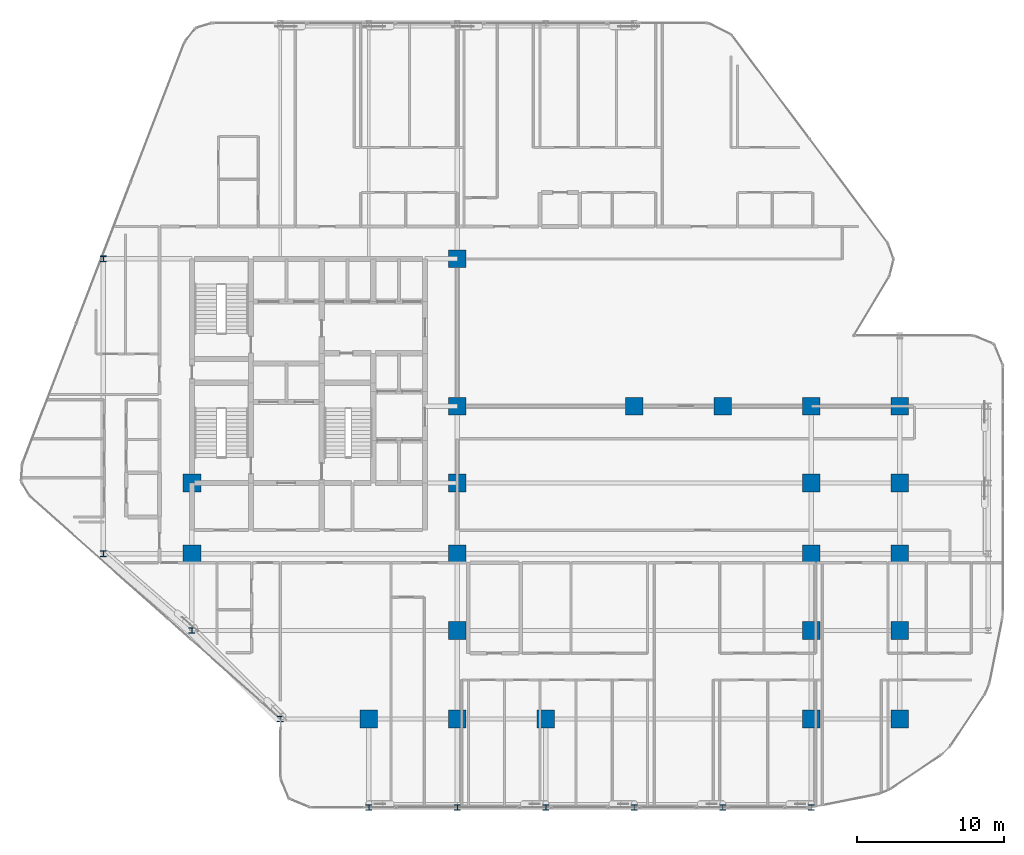
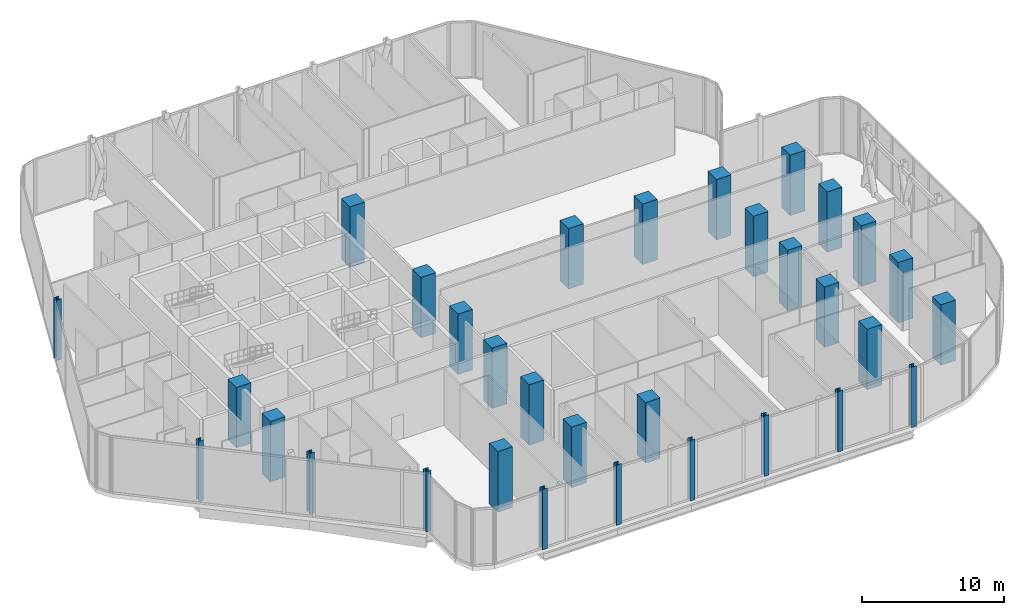
# One storey, part 1 of 36: 32 columns.
"""IFC4 building model written with IfcOpenShell, lengths in metres."""

from ifc_helpers import new_model, si_unit, direction, frame, origin, origin_2d, place, context, subcontext, project, spatial, rectangle, i_section, extrude, material, material_profile, profile_set, type_object, element, save


model = new_model("IFC4")

# Units and contexts
model_context = context("Model", 3, precision=1e-05, world=origin(), true_north=direction((0.0, 1.0)))
body_context = subcontext(model_context, "Body", "Model", "MODEL_VIEW")
ifc_project = project(units=[si_unit("LENGTHUNIT", "METRE"), si_unit("AREAUNIT", "SQUARE_METRE"), si_unit("VOLUMEUNIT", "CUBIC_METRE"), si_unit("PLANEANGLEUNIT", "RADIAN"), si_unit("MASSUNIT", "GRAM", prefix="KILO")], contexts=[model_context])

# Site, building, storey
site_placement = place(None, origin())
site = spatial("IfcSite", under=ifc_project, at=site_placement, CompositionType="ELEMENT")
building_placement = place(site_placement, origin())
building = spatial("IfcBuilding", under=site, at=building_placement, Name="Keshet Zoharim Tower", CompositionType="ELEMENT")
storey_placement = place(building_placement, frame((0.0, 0.0, 81.199951171875)))
storey = spatial("IfcBuildingStorey", under=building, at=storey_placement, Name="L19", CompositionType="ELEMENT", Elevation=81.199951171875)

# Columns
ifc_material_1 = material(Name="Steel S355", Category="steel")
ifc_material_profile_1 = material_profile(ifc_material_1, i_section(OverallWidth=0.40087890625, OverallDepth=0.39892578125, WebThickness=0.02490234375, FlangeThickness=0.03955078125, FilletRadius=0.014892578125, at=origin_2d()), Name="HD400x314")
ifc_profile_set_1 = profile_set([ifc_material_profile_1], Name="Steel S355")
column_type_1 = type_object("IfcColumnType", Name="COL-HD314", PredefinedType="COLUMN", material=ifc_profile_set_1)
for number, where, z_axis, x_axis, name in (
    (1, (9.0, 17.89990234375, 0.0), (0.0, 0.0, 1.0), (1.0, 0.0, 0.0), "L19 Column 2D"),
    (2, (9.0, 37.89990234375, 0.0), (0.0, 0.0, 1.0), (1.0, 0.0, 0.0), "L19 Column 2H"),
    (3, (15.0, 12.699951171875, 0.0), (0.0, 0.0, 1.0), (1.0, 0.0, 0.0), "L19 Column 3C"),
    (4, (21.0, 6.699951171875, 0.0), (0.0, 0.0, 1.0), (1.0, 0.0, 0.0), "L19 Column 4B"),
    (5, (27.0, 0.699951171875, 0.0), (0.0, 0.0, 1.0), (1.0, 0.0, 0.0), "L19 Column 5A"),
    (6, (33.0, 0.699951171875, 0.0), (0.0, 0.0, 1.0), (1.0, 0.0, 0.0), "L19 Column 6A"),
    (7, (39.0, 0.699951171875, 0.0), (0.0, 0.0, 1.0), (1.0, 0.0, 0.0), "L19 Column 7A"),
    (8, (45.0, 0.699951171875, 0.0), (0.0, 0.0, 1.0), (1.0, 0.0, 0.0), "L19 Column 8A"),
    (9, (51.0, 0.699951171875, 0.0), (0.0, 0.0, 1.0), (1.0, 0.0, 0.0), "L19 Column 9A"),
    (10, (57.0, 0.699951171875, 0.0), (0.0, 0.0, 1.0), (1.0, 0.0, 0.0), "L19 Column 10A"),
):
    element("IfcColumn", number, at=place(storey_placement, frame(where, z_axis=z_axis, x_axis=x_axis)), inside=storey, type_object=column_type_1, Name=name, PredefinedType="COLUMN", context=body_context, shape_type="SweptSolid", body=[
        extrude(i_section(OverallWidth=0.40087890625, OverallDepth=0.39892578125, WebThickness=0.02490234375, FlangeThickness=0.03955078125, FilletRadius=0.014892578125, at=origin_2d()), origin(), (0.0, 0.0, 1.0), 5.199951171875),
    ])
ifc_material_2 = material(Name="Concrete C60/75", Category="concrete")
ifc_material_profile_2 = material_profile(ifc_material_2, rectangle(XDim=1.199951171875, YDim=1.199951171875, at=origin_2d()), Name="RC1200x1200")
ifc_profile_set_2 = profile_set([ifc_material_profile_2], Name="Concrete C60/75")
column_type_2 = type_object("IfcColumnType", Name="COL-RC1200", PredefinedType="COLUMN", material=ifc_profile_set_2)
for number, where, z_axis, x_axis, name in (
    (11, (15.0, 17.89990234375, 0.0), (0.0, 0.0, 1.0), (1.0, 0.0, 0.0), "L19 Column 3D"),
    (12, (15.0, 22.699951171875, 0.0), (0.0, 0.0, 1.0), (1.0, 0.0, 0.0), "L19 Column 3E"),
    (13, (27.0, 6.699951171875, 0.0), (0.0, 0.0, 1.0), (1.0, 0.0, 0.0), "L19 Column 5B"),
    (14, (33.0, 6.699951171875, 0.0), (0.0, 0.0, 1.0), (1.0, 0.0, 0.0), "L19 Column 6B"),
    (15, (33.0, 12.699951171875, 0.0), (0.0, 0.0, 1.0), (1.0, 0.0, 0.0), "L19 Column 6C"),
    (16, (33.0, 17.89990234375, 0.0), (0.0, 0.0, 1.0), (1.0, 0.0, 0.0), "L19 Column 6D"),
    (17, (33.0, 22.699951171875, 0.0), (0.0, 0.0, 1.0), (1.0, 0.0, 0.0), "L19 Column 6E"),
    (18, (33.0, 27.89990234375, 0.0), (0.0, 0.0, 1.0), (1.0, 0.0, 0.0), "L19 Column 6F"),
    (19, (33.0, 37.89990234375, 0.0), (0.0, 0.0, 1.0), (1.0, 0.0, 0.0), "L19 Column 6H"),
    (20, (39.0, 6.699951171875, 0.0), (0.0, 0.0, 1.0), (1.0, 0.0, 0.0), "L19 Column 7B"),
    (21, (45.0, 27.89990234375, 0.0), (0.0, 0.0, 1.0), (1.0, 0.0, 0.0), "L19 Column 8F"),
    (22, (51.0, 27.89990234375, 0.0), (0.0, 0.0, 1.0), (1.0, 0.0, 0.0), "L19 Column 9F"),
    (23, (57.0, 6.699951171875, 0.0), (0.0, 0.0, 1.0), (1.0, 0.0, 0.0), "L19 Column 10B"),
    (24, (57.0, 12.699951171875, 0.0), (0.0, 0.0, 1.0), (1.0, 0.0, 0.0), "L19 Column 10C"),
    (25, (57.0, 17.89990234375, 0.0), (0.0, 0.0, 1.0), (1.0, 0.0, 0.0), "L19 Column 10D"),
    (26, (57.0, 22.699951171875, 0.0), (0.0, 0.0, 1.0), (1.0, 0.0, 0.0), "L19 Column 10E"),
    (27, (57.0, 27.89990234375, 0.0), (0.0, 0.0, 1.0), (1.0, 0.0, 0.0), "L19 Column 10F"),
    (28, (63.0, 6.699951171875, 0.0), (0.0, 0.0, 1.0), (1.0, 0.0, 0.0), "L19 Column 11B"),
    (29, (63.0, 12.699951171875, 0.0), (0.0, 0.0, 1.0), (1.0, 0.0, 0.0), "L19 Column 11C"),
    (30, (63.0, 17.89990234375, 0.0), (0.0, 0.0, 1.0), (1.0, 0.0, 0.0), "L19 Column 11D"),
    (31, (63.0, 22.699951171875, 0.0), (0.0, 0.0, 1.0), (1.0, 0.0, 0.0), "L19 Column 11E"),
    (32, (63.0, 27.89990234375, 0.0), (0.0, 0.0, 1.0), (1.0, 0.0, 0.0), "L19 Column 11F"),
):
    element("IfcColumn", number, at=place(storey_placement, frame(where, z_axis=z_axis, x_axis=x_axis)), inside=storey, type_object=column_type_2, Name=name, PredefinedType="COLUMN", context=body_context, shape_type="SweptSolid", body=[
        extrude(rectangle(XDim=1.199951171875, YDim=1.199951171875, at=origin_2d()), origin(), (0.0, 0.0, 1.0), 5.199951171875),
    ])

save(model, "model.ifc")
